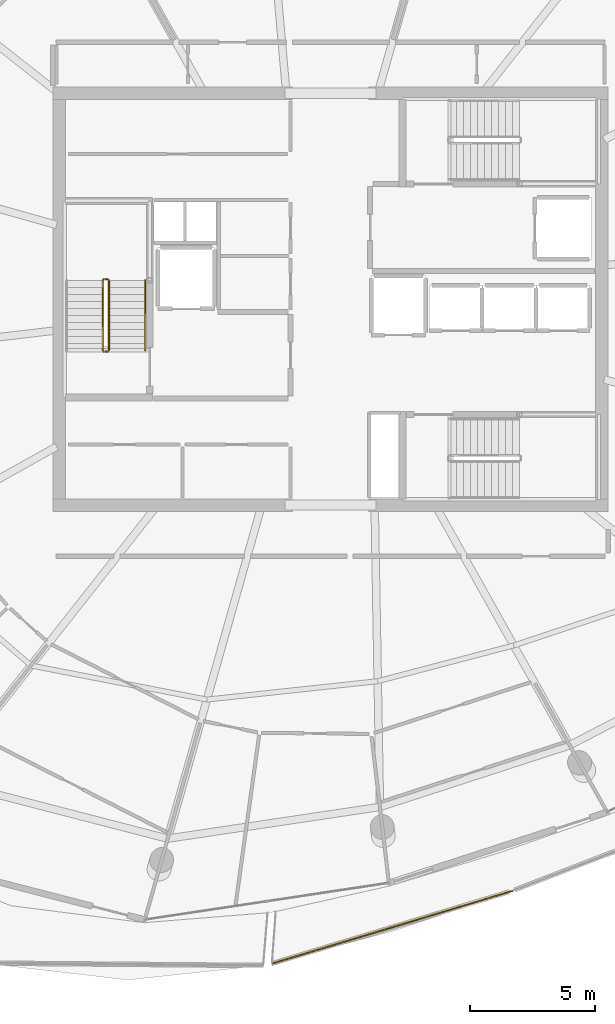
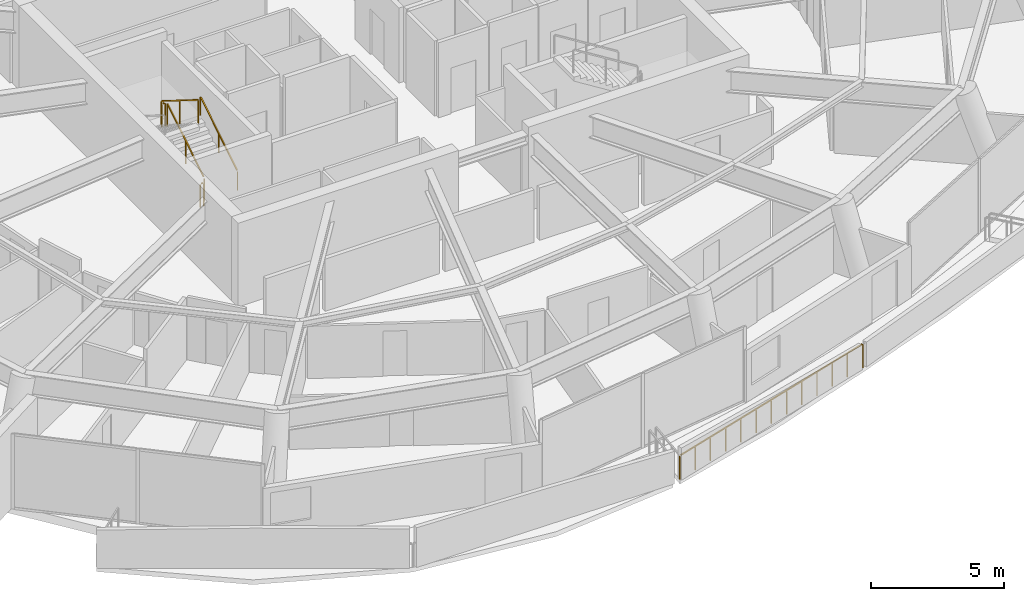
# One storey, part 23 of 27: 6 railings.
"""IFC4 building model written with IfcOpenShell, lengths in metres."""

from ifc_helpers import new_model, si_unit, direction, frame, origin, origin_2d, place, context, subcontext, project, spatial, rectangle, extrude, material, type_object, element, save


model = new_model("IFC4")

# Units and contexts
model_context = context("Model", 3, precision=1e-05, world=origin(), true_north=direction((0.0, 1.0)))
body_context = subcontext(model_context, "Body", "Model", "MODEL_VIEW")
ifc_project = project(units=[si_unit("LENGTHUNIT", "METRE"), si_unit("AREAUNIT", "SQUARE_METRE"), si_unit("VOLUMEUNIT", "CUBIC_METRE"), si_unit("PLANEANGLEUNIT", "RADIAN"), si_unit("MASSUNIT", "GRAM", prefix="KILO")], contexts=[model_context])

# Site, building, storey
site_placement = place(None, origin())
site = spatial("IfcSite", under=ifc_project, at=site_placement, CompositionType="ELEMENT")
building_placement = place(site_placement, origin())
building = spatial("IfcBuilding", under=site, at=building_placement, Name="Kazma Halo Residences", CompositionType="ELEMENT")
storey_placement = place(building_placement, frame((0.0, 0.0, 306.0)))
storey = spatial("IfcBuildingStorey", under=building, at=storey_placement, Name="L77", CompositionType="ELEMENT", Elevation=306.0)

# Railings
ifc_material_1 = material(Name="Aluminium AW-6063 T6 Brushed Cap Rail", Category="aluminium")
railing_type_1 = type_object("IfcRailingType", Name="RLG-BAL-CAP-1120", PredefinedType="BALUSTRADE", material=ifc_material_1)
railing_1_placement = place(storey_placement, frame((46.0673828125, 15.364501953125, 0.0)))
element("IfcRailing", 1, at=railing_1_placement, inside=storey, type_object=railing_type_1, Name="L77 SSE wave balcony guard 2", PredefinedType="BALUSTRADE", context=body_context, shape_type="SweptSolid", body=[
    extrude(rectangle(XDim=0.050048828125, YDim=0.050048828125, at=origin_2d()), frame((0.040771484375, 0.01220703125, 1.09521484375), z_axis=(0.957208928611, 0.289397766038, 0.0), x_axis=(-0.289397766038, 0.957208928611, 0.0)), (0.0, 0.0, 1.0), 9.986083984375),
    extrude(rectangle(XDim=0.0400390625, YDim=0.0400390625, at=origin_2d()), origin(), (0.0, 0.0, 1.0), 1.05810546875),
    extrude(rectangle(XDim=0.0400390625, YDim=0.0400390625, at=origin_2d()), frame((0.80322265625, 0.242919921875, 0.0)), (0.0, 0.0, 1.0), 1.05810546875),
    extrude(rectangle(XDim=0.0400390625, YDim=0.0400390625, at=origin_2d()), frame((1.606689453125, 0.48583984375, 0.0)), (0.0, 0.0, 1.0), 1.05810546875),
    extrude(rectangle(XDim=0.0400390625, YDim=0.0400390625, at=origin_2d()), frame((2.41015625, 0.728515625, 0.0)), (0.0, 0.0, 1.0), 1.05810546875),
    extrude(rectangle(XDim=0.0400390625, YDim=0.0400390625, at=origin_2d()), frame((3.21337890625, 0.971435546875, 0.0)), (0.0, 0.0, 1.0), 1.05810546875),
    extrude(rectangle(XDim=0.0400390625, YDim=0.0400390625, at=origin_2d()), frame((4.0166015625, 1.21435546875, 0.0)), (0.0, 0.0, 1.0), 1.05810546875),
    extrude(rectangle(XDim=0.0400390625, YDim=0.0400390625, at=origin_2d()), frame((4.820068359375, 1.457275390625, 0.0)), (0.0, 0.0, 1.0), 1.05810546875),
    extrude(rectangle(XDim=0.0400390625, YDim=0.0400390625, at=origin_2d()), frame((5.62353515625, 1.7001953125, 0.0)), (0.0, 0.0, 1.0), 1.05810546875),
    extrude(rectangle(XDim=0.0400390625, YDim=0.0400390625, at=origin_2d()), frame((6.4267578125, 1.943115234375, 0.0)), (0.0, 0.0, 1.0), 1.05810546875),
    extrude(rectangle(XDim=0.0400390625, YDim=0.0400390625, at=origin_2d()), frame((7.22998046875, 2.18603515625, 0.0)), (0.0, 0.0, 1.0), 1.05810546875),
    extrude(rectangle(XDim=0.0400390625, YDim=0.0400390625, at=origin_2d()), frame((8.033447265625, 2.4287109375, 0.0)), (0.0, 0.0, 1.0), 1.05810546875),
    extrude(rectangle(XDim=0.0400390625, YDim=0.0400390625, at=origin_2d()), frame((8.8369140625, 2.671630859375, 0.0)), (0.0, 0.0, 1.0), 1.05810546875),
    extrude(rectangle(XDim=0.0400390625, YDim=0.0400390625, at=origin_2d()), frame((9.64013671875, 2.91455078125, 0.0)), (0.0, 0.0, 1.0), 1.05810546875),
])
ifc_material_2 = material(Name="Painted Steel S355", Category="steel")
railing_type_2 = type_object("IfcRailingType", Name="RLG-STAIR-GRD-1100", PredefinedType="GUARDRAIL", material=ifc_material_2)
railing_2_placement = place(storey_placement, frame((39.550048828125, 39.949951171875, 0.175048828125)))
element("IfcRailing", 2, at=railing_2_placement, inside=storey, type_object=railing_type_2, Name="L77 ST-01 stair guard 1", PredefinedType="GUARDRAIL", context=body_context, shape_type="SweptSolid", body=[
    extrude(rectangle(XDim=0.050048828125, YDim=0.050048828125, at=origin_2d()), frame((0.0, 0.0361328125, 1.09765625), z_axis=(0.0, 0.848002457836, 0.529992293815), x_axis=(-1.0, 0.0, 0.0)), (0.0, 0.0, 1.0), 3.216796875),
    extrude(rectangle(XDim=0.0400390625, YDim=0.0400390625, at=origin_2d()), origin(), (0.0, 0.0, 1.0), 1.0380859375),
    extrude(rectangle(XDim=0.0400390625, YDim=0.0400390625, at=origin_2d()), frame((0.0, 1.39990234375, 0.875)), (0.0, 0.0, 1.0), 1.0380859375),
    extrude(rectangle(XDim=0.0400390625, YDim=0.0400390625, at=origin_2d()), frame((0.0, 2.800048828125, 1.75)), (0.0, 0.0, 1.0), 1.0380859375),
])
railing_3_placement = place(storey_placement, frame((39.5, 42.800048828125, 1.925048828125)))
element("IfcRailing", 3, at=railing_3_placement, inside=storey, type_object=railing_type_2, Name="L77 ST-01 stair guard 2", PredefinedType="GUARDRAIL", context=body_context, shape_type="SweptSolid", body=[
    extrude(rectangle(XDim=0.050048828125, YDim=0.050048828125, at=origin_2d()), frame((-0.04248046875, 0.0, 1.0751953125), z_axis=(-1.0, 0.0, 0.0), x_axis=(0.0, -1.0, 0.0)), (0.0, 0.0, 1.0), 0.06494140625),
    extrude(rectangle(XDim=0.0400390625, YDim=0.0400390625, at=origin_2d()), origin(), (0.0, 0.0, 1.0), 1.0380859375),
    extrude(rectangle(XDim=0.0400390625, YDim=0.0400390625, at=origin_2d()), frame((-0.14990234375, 0.0, 0.0)), (0.0, 0.0, 1.0), 1.0380859375),
])
railing_4_placement = place(storey_placement, frame((39.300048828125, 42.75, 2.10009765625)))
element("IfcRailing", 4, at=railing_4_placement, inside=storey, type_object=railing_type_2, Name="L77 ST-01 stair guard 3", PredefinedType="GUARDRAIL", context=body_context, shape_type="SweptSolid", body=[
    extrude(rectangle(XDim=0.050048828125, YDim=0.050048828125, at=origin_2d()), frame((0.0, -0.0361328125, 1.09765625), z_axis=(0.0, -0.848002457836, 0.529992293815), x_axis=(1.0, 0.0, 0.0)), (0.0, 0.0, 1.0), 3.216796875),
    extrude(rectangle(XDim=0.0400390625, YDim=0.0400390625, at=origin_2d()), origin(), (0.0, 0.0, 1.0), 1.0380859375),
    extrude(rectangle(XDim=0.0400390625, YDim=0.0400390625, at=origin_2d()), frame((0.0, -1.39990234375, 0.875)), (0.0, 0.0, 1.0), 1.0380859375),
    extrude(rectangle(XDim=0.0400390625, YDim=0.0400390625, at=origin_2d()), frame((0.0, -2.800048828125, 1.75)), (0.0, 0.0, 1.0), 1.0380859375),
])
railing_5_placement = place(storey_placement, frame((39.5, 39.89990234375, 0.0)))
element("IfcRailing", 5, at=railing_5_placement, inside=storey, type_object=railing_type_2, Name="L77 ST-01 stair guard 4", PredefinedType="GUARDRAIL", context=body_context, shape_type="SweptSolid", body=[
    extrude(rectangle(XDim=0.050048828125, YDim=0.050048828125, at=origin_2d()), frame((-0.04248046875, 0.0, 1.0751953125), z_axis=(-1.0, 0.0, 0.0), x_axis=(0.0, -1.0, 0.0)), (0.0, 0.0, 1.0), 0.06494140625),
    extrude(rectangle(XDim=0.0400390625, YDim=0.0400390625, at=origin_2d()), origin(), (0.0, 0.0, 1.0), 1.0380859375),
    extrude(rectangle(XDim=0.0400390625, YDim=0.0400390625, at=origin_2d()), frame((-0.14990234375, 0.0, 0.0)), (0.0, 0.0, 1.0), 1.0380859375),
])
ifc_material_3 = material(Name="Brushed Stainless Steel", Category="steel")
railing_type_3 = type_object("IfcRailingType", Name="RLG-STAIR-HND-900", PredefinedType="HANDRAIL", material=ifc_material_3)
railing_6_placement = place(storey_placement, frame((41.0, 39.949951171875, 0.175048828125)))
element("IfcRailing", 6, at=railing_6_placement, inside=storey, type_object=railing_type_3, Name="L77 ST-01 stair handrail 1", PredefinedType="HANDRAIL", context=body_context, shape_type="SweptSolid", body=[
    extrude(rectangle(XDim=0.050048828125, YDim=0.050048828125, at=origin_2d()), frame((0.0, 0.0361328125, 0.8974609375), z_axis=(0.0, 0.848002457836, 0.529992293815), x_axis=(-1.0, 0.0, 0.0)), (0.0, 0.0, 1.0), 3.216796875),
    extrude(rectangle(XDim=0.0400390625, YDim=0.0400390625, at=origin_2d()), origin(), (0.0, 0.0, 1.0), 0.837890625),
    extrude(rectangle(XDim=0.0400390625, YDim=0.0400390625, at=origin_2d()), frame((0.0, 1.39990234375, 0.875)), (0.0, 0.0, 1.0), 0.837890625),
    extrude(rectangle(XDim=0.0400390625, YDim=0.0400390625, at=origin_2d()), frame((0.0, 2.800048828125, 1.75)), (0.0, 0.0, 1.0), 0.837890625),
])

save(model, "model.ifc")
